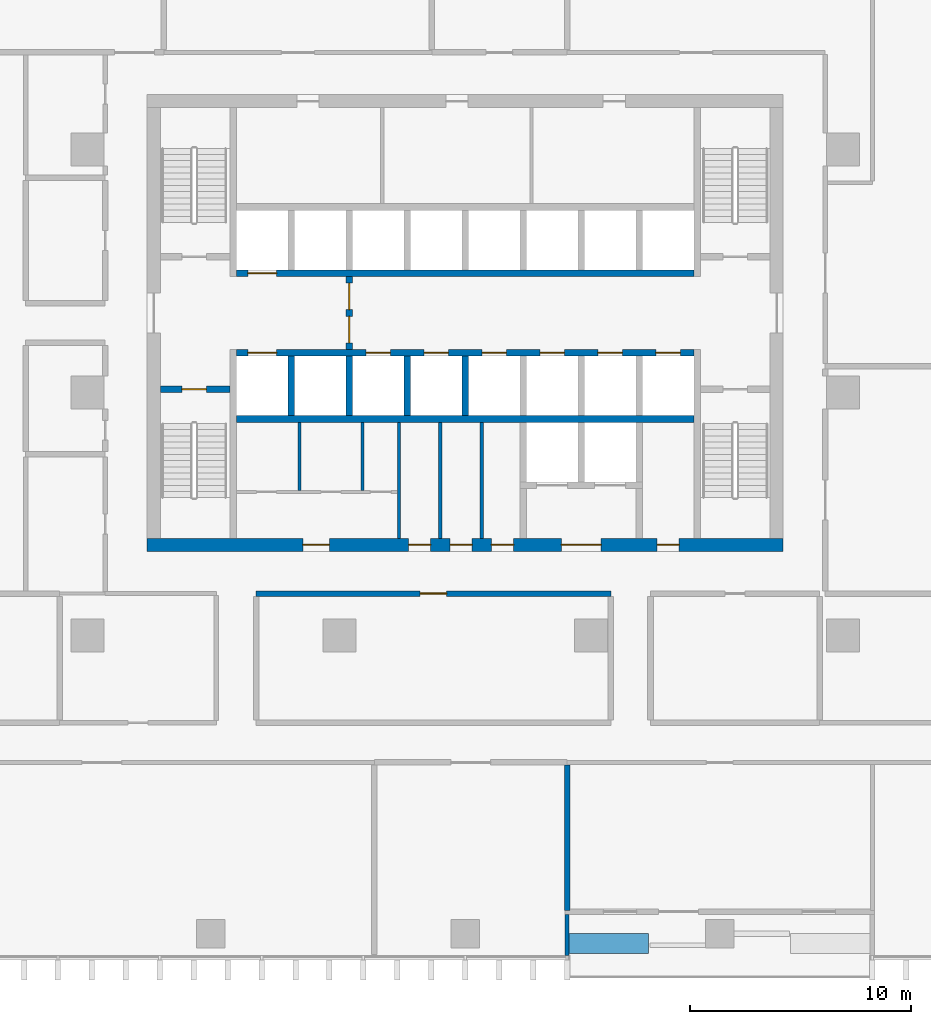
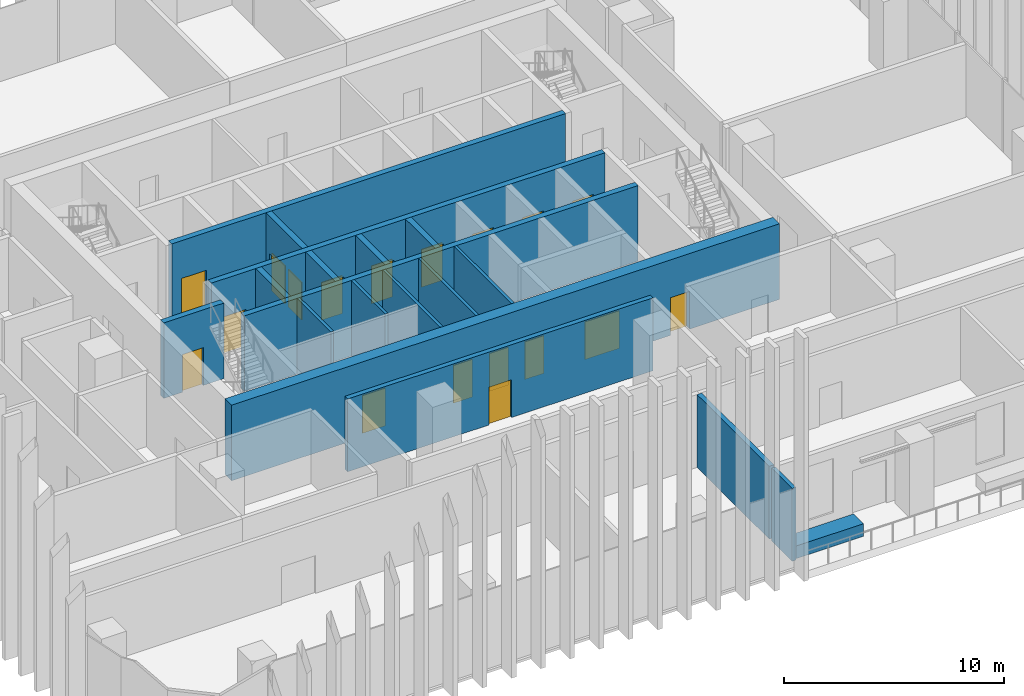
# One storey, part 8 of 17: 19 walls, 18 doors, 18 openings.
"""IFC4 building model written with IfcOpenShell, lengths in metres."""

from ifc_helpers import new_model, si_unit, direction, frame, frame_2d, origin, place, context, subcontext, project, spatial, rectangle, extrude, material, layer, layer_set, type_object, element, fill, save


model = new_model("IFC4")

# Units and contexts
model_context = context("Model", 3, precision=1e-05, world=origin(), true_north=direction((0.0, 1.0)))
body_context = subcontext(model_context, "Body", "Model", "MODEL_VIEW")
ifc_project = project(units=[si_unit("LENGTHUNIT", "METRE"), si_unit("AREAUNIT", "SQUARE_METRE"), si_unit("VOLUMEUNIT", "CUBIC_METRE"), si_unit("PLANEANGLEUNIT", "RADIAN"), si_unit("MASSUNIT", "GRAM", prefix="KILO")], contexts=[model_context])

# Site, building, storey
site_placement = place(None, origin())
site = spatial("IfcSite", under=ifc_project, at=site_placement, CompositionType="ELEMENT")
building_placement = place(site_placement, origin())
building = spatial("IfcBuilding", under=site, at=building_placement, Name="Mopane Tessera Tower", CompositionType="ELEMENT")
storey_placement = place(building_placement, frame((0.0, 0.0, 108.10009765625)))
storey = spatial("IfcBuildingStorey", under=building, at=storey_placement, Name="L21", CompositionType="ELEMENT", Elevation=108.10009765625)

# Walls
ifc_material_1 = material(Name="Fire-rated gypsum board partition")
ifc_layer_1 = layer(ifc_material_1, 0.14990234375)
ifc_layer_set_1 = layer_set([ifc_layer_1], Name="Fire-rated gypsum board partition")
wall_type_1 = type_object("IfcWallType", Name="Core room partition 150 mm", PredefinedType="PARTITIONING", material=ifc_layer_set_1)
for number, where, z_axis, x_axis, name in (
    (1, (-7.5, -4.425048828125, 0.0), (0.0, 0.0, 1.0), (0.0, 1.0, 0.0), "L21 WC partition"),
    (2, (-4.64990234375, -4.425048828125, 0.0), (0.0, 0.0, 1.0), (0.0, 1.0, 0.0), "L21 WC partition"),
):
    element("IfcWall", number, at=place(storey_placement, frame(where, z_axis=z_axis, x_axis=x_axis)), inside=storey, type_object=wall_type_1, Name=name, PredefinedType="PARTITIONING", context=body_context, shape_type="SweptSolid", body=[
        extrude(rectangle(XDim=3.074951171875, YDim=0.14990234375, at=frame_2d((1.53759765625, 0.0))), origin(), (0.0, 0.0, 1.0), 4.199951171875),
    ])
for number, where, z_axis, x_axis, name in (
    (3, (-3.0, -6.60009765625, 0.0), (0.0, 0.0, 1.0), (0.0, 1.0, 0.0), "L21 Room partition"),
    (4, (-1.125, -6.60009765625, 0.0), (0.0, 0.0, 1.0), (0.0, 1.0, 0.0), "L21 Room partition"),
    (5, (0.75, -6.60009765625, 0.0), (0.0, 0.0, 1.0), (0.0, 1.0, 0.0), "L21 Room partition"),
):
    element("IfcWall", number, at=place(storey_placement, frame(where, z_axis=z_axis, x_axis=x_axis)), inside=storey, type_object=wall_type_1, Name=name, PredefinedType="PARTITIONING", context=body_context, shape_type="SweptSolid", body=[
        extrude(rectangle(XDim=5.25, YDim=0.14990234375, at=frame_2d((2.625, 0.0))), origin(), (0.0, 0.0, 1.0), 4.199951171875),
    ])

# Wall, openings, doors
ifc_material_2 = material(Name="Concrete C70/85", Category="concrete")
ifc_layer_2 = layer(ifc_material_2, 0.60009765625)
ifc_layer_set_2 = layer_set([ifc_layer_2], Name="Concrete C70/85")
wall_type_2 = type_object("IfcWallType", Name="Core shear wall 600 mm", PredefinedType="SHEAR", material=ifc_layer_set_2)
wall_1_placement = place(storey_placement, frame((-14.39990234375, -6.89990234375, 0.0), z_axis=(0.0, 0.0, 1.0), x_axis=(1.0, 0.0, 0.0)))
wall_1 = element("IfcWall", 6, at=wall_1_placement, inside=storey, type_object=wall_type_2, Name="L21 Core wall south", PredefinedType="SHEAR", context=body_context, shape_type="SweptSolid", body=[
    extrude(rectangle(XDim=28.7998046875, YDim=0.60009765625, at=frame_2d((14.39990234375, 0.0))), origin(), (0.0, 0.0, 1.0), 4.199951171875),
])
opening_1_placement = place(wall_1_placement, frame((7.050048828125, 0.0, 0.0)))
opening_1 = element("IfcOpeningElement", 7, at=opening_1_placement, cuts=wall_1, Name="Opening WD3", PredefinedType="OPENING", context=body_context, shape_type="SweptSolid", body=[
    extrude(rectangle(XDim=1.199951171875, YDim=2.10009765625, at=frame_2d((0.60009765625, 1.050048828125))), frame((0.0, 0.31201171875, 0.0), z_axis=(0.0, -1.0, 0.0), x_axis=(1.0, 0.0, 0.0)), (0.0, 0.0, 1.0), 0.6240234375),
])
opening_2_placement = place(wall_1_placement, frame((11.83740234375, 0.0, 0.0)))
opening_2 = element("IfcOpeningElement", 8, at=opening_2_placement, cuts=wall_1, Name="Opening RD1", PredefinedType="OPENING", context=body_context, shape_type="SweptSolid", body=[
    extrude(rectangle(XDim=1.0, YDim=2.10009765625, at=frame_2d((0.5, 1.050048828125))), frame((0.0, 0.31201171875, 0.0), z_axis=(0.0, -1.0, 0.0), x_axis=(1.0, 0.0, 0.0)), (0.0, 0.0, 1.0), 0.6240234375),
])
opening_3_placement = place(wall_1_placement, frame((13.71240234375, 0.0, 0.0)))
opening_3 = element("IfcOpeningElement", 9, at=opening_3_placement, cuts=wall_1, Name="Opening RD1", PredefinedType="OPENING", context=body_context, shape_type="SweptSolid", body=[
    extrude(rectangle(XDim=1.0, YDim=2.10009765625, at=frame_2d((0.5, 1.050048828125))), frame((0.0, 0.31201171875, 0.0), z_axis=(0.0, -1.0, 0.0), x_axis=(1.0, 0.0, 0.0)), (0.0, 0.0, 1.0), 0.6240234375),
])
opening_4_placement = place(wall_1_placement, frame((15.58740234375, 0.0, 0.0)))
opening_4 = element("IfcOpeningElement", 10, at=opening_4_placement, cuts=wall_1, Name="Opening RD1", PredefinedType="OPENING", context=body_context, shape_type="SweptSolid", body=[
    extrude(rectangle(XDim=1.0, YDim=2.10009765625, at=frame_2d((0.5, 1.050048828125))), frame((0.0, 0.31201171875, 0.0), z_axis=(0.0, -1.0, 0.0), x_axis=(1.0, 0.0, 0.0)), (0.0, 0.0, 1.0), 0.6240234375),
])
opening_5_placement = place(wall_1_placement, frame((18.75, 0.0, 0.0)))
opening_5 = element("IfcOpeningElement", 11, at=opening_5_placement, cuts=wall_1, Name="Opening SD2", PredefinedType="OPENING", context=body_context, shape_type="SweptSolid", body=[
    extrude(rectangle(XDim=1.800048828125, YDim=2.10009765625, at=frame_2d((0.89990234375, 1.050048828125))), frame((0.0, 0.31201171875, 0.0), z_axis=(0.0, -1.0, 0.0), x_axis=(1.0, 0.0, 0.0)), (0.0, 0.0, 1.0), 0.6240234375),
])
opening_6_placement = place(wall_1_placement, frame((23.08740234375, 0.0, 0.0)))
opening_6 = element("IfcOpeningElement", 12, at=opening_6_placement, cuts=wall_1, Name="Opening RD1", PredefinedType="OPENING", context=body_context, shape_type="SweptSolid", body=[
    extrude(rectangle(XDim=1.0, YDim=2.10009765625, at=frame_2d((0.5, 1.050048828125))), frame((0.0, 0.31201171875, 0.0), z_axis=(0.0, -1.0, 0.0), x_axis=(1.0, 0.0, 0.0)), (0.0, 0.0, 1.0), 0.6240234375),
])
ifc_material_3 = material(Name="Steel fire door", Category="steel")
door_type_1 = type_object("IfcDoorType", Name="Core entrance double door 1800 x 2100", OperationType="DOUBLE_DOOR_SINGLE_SWING", PredefinedType="DOOR", material=ifc_material_3)
door_1_placement = place(opening_5_placement, origin())
door_1 = element("IfcDoor", 13, at=door_1_placement, inside=storey, type_object=door_type_1, Name="L21 Service lobby door", OperationType="DOUBLE_DOOR_SINGLE_SWING", OverallHeight=2.10009765625, OverallWidth=1.800048828125, PredefinedType="DOOR", context=body_context, shape_type="SweptSolid", body=[
    extrude(rectangle(XDim=1.800048828125, YDim=2.10009765625, at=frame_2d((0.89990234375, 1.050048828125))), frame((0.0, 0.02490234375, 0.0), z_axis=(0.0, -1.0, 0.0), x_axis=(1.0, 0.0, 0.0)), (0.0, 0.0, 1.0), 0.050048828125),
])
fill(opening_5, door_1)
ifc_material_4 = material(Name="Timber door", Category="wood")
door_type_2 = type_object("IfcDoorType", Name="Core room door 1000 x 2100", OperationType="SINGLE_SWING_LEFT", PredefinedType="DOOR", material=ifc_material_4)
door_2_placement = place(opening_2_placement, origin())
door_2 = element("IfcDoor", 14, at=door_2_placement, inside=storey, type_object=door_type_2, Name="L21 Room door", OperationType="SINGLE_SWING_LEFT", OverallHeight=2.10009765625, OverallWidth=1.0, PredefinedType="DOOR", context=body_context, shape_type="SweptSolid", body=[
    extrude(rectangle(XDim=1.0, YDim=2.10009765625, at=frame_2d((0.5, 1.050048828125))), frame((0.0, 0.02490234375, 0.0), z_axis=(0.0, -1.0, 0.0), x_axis=(1.0, 0.0, 0.0)), (0.0, 0.0, 1.0), 0.050048828125),
])
fill(opening_2, door_2)
door_3_placement = place(opening_3_placement, origin())
door_3 = element("IfcDoor", 15, at=door_3_placement, inside=storey, type_object=door_type_2, Name="L21 Room door", OperationType="SINGLE_SWING_LEFT", OverallHeight=2.10009765625, OverallWidth=1.0, PredefinedType="DOOR", context=body_context, shape_type="SweptSolid", body=[
    extrude(rectangle(XDim=1.0, YDim=2.10009765625, at=frame_2d((0.5, 1.050048828125))), frame((0.0, 0.02490234375, 0.0), z_axis=(0.0, -1.0, 0.0), x_axis=(1.0, 0.0, 0.0)), (0.0, 0.0, 1.0), 0.050048828125),
])
fill(opening_3, door_3)
door_4_placement = place(opening_4_placement, origin())
door_4 = element("IfcDoor", 16, at=door_4_placement, inside=storey, type_object=door_type_2, Name="L21 Room door", OperationType="SINGLE_SWING_LEFT", OverallHeight=2.10009765625, OverallWidth=1.0, PredefinedType="DOOR", context=body_context, shape_type="SweptSolid", body=[
    extrude(rectangle(XDim=1.0, YDim=2.10009765625, at=frame_2d((0.5, 1.050048828125))), frame((0.0, 0.02490234375, 0.0), z_axis=(0.0, -1.0, 0.0), x_axis=(1.0, 0.0, 0.0)), (0.0, 0.0, 1.0), 0.050048828125),
])
fill(opening_4, door_4)
door_5_placement = place(opening_6_placement, origin())
door_5 = element("IfcDoor", 17, at=door_5_placement, inside=storey, type_object=door_type_2, Name="L21 Room door", OperationType="SINGLE_SWING_LEFT", OverallHeight=2.10009765625, OverallWidth=1.0, PredefinedType="DOOR", context=body_context, shape_type="SweptSolid", body=[
    extrude(rectangle(XDim=1.0, YDim=2.10009765625, at=frame_2d((0.5, 1.050048828125))), frame((0.0, 0.02490234375, 0.0), z_axis=(0.0, -1.0, 0.0), x_axis=(1.0, 0.0, 0.0)), (0.0, 0.0, 1.0), 0.050048828125),
])
fill(opening_6, door_5)
ifc_material_5 = material(Name="Timber door", Category="wood")
door_type_3 = type_object("IfcDoorType", Name="WC lobby door 1200 x 2100", OperationType="SINGLE_SWING_LEFT", PredefinedType="DOOR", material=ifc_material_5)
door_6_placement = place(opening_1_placement, origin())
door_6 = element("IfcDoor", 18, at=door_6_placement, inside=storey, type_object=door_type_3, Name="L21 WC lobby door", OperationType="SINGLE_SWING_LEFT", OverallHeight=2.10009765625, OverallWidth=1.199951171875, PredefinedType="DOOR", context=body_context, shape_type="SweptSolid", body=[
    extrude(rectangle(XDim=1.199951171875, YDim=2.10009765625, at=frame_2d((0.60009765625, 1.050048828125))), frame((0.0, 0.02490234375, 0.0), z_axis=(0.0, -1.0, 0.0), x_axis=(1.0, 0.0, 0.0)), (0.0, 0.0, 1.0), 0.050048828125),
])
fill(opening_1, door_6)

# Wall, opening, door
ifc_material_6 = material(Name="Concrete C50/60", Category="concrete")
ifc_layer_3 = layer(ifc_material_6, 0.300048828125)
ifc_layer_set_3 = layer_set([ifc_layer_3], Name="Concrete C50/60")
wall_type_3 = type_object("IfcWallType", Name="Lift and stair shaft wall 300 mm", PredefinedType="SOLIDWALL", material=ifc_layer_set_3)
wall_2_placement = place(storey_placement, frame((-13.800048828125, 0.14990234375, 0.0), z_axis=(0.0, 0.0, 1.0), x_axis=(1.0, 0.0, 0.0)))
wall_2 = element("IfcWall", 19, at=wall_2_placement, inside=storey, type_object=wall_type_3, Name="L21 Stair enclosure wall", PredefinedType="SOLIDWALL", context=body_context, shape_type="SweptSolid", body=[
    extrude(rectangle(XDim=3.150146484375, YDim=0.300048828125, at=frame_2d((1.5751953125, 0.0))), origin(), (0.0, 0.0, 1.0), 4.199951171875),
])
opening_7_placement = place(wall_2_placement, frame((0.97509765625, 0.0, 0.0)))
opening_7 = element("IfcOpeningElement", 20, at=opening_7_placement, cuts=wall_2, Name="Opening SD1", PredefinedType="OPENING", context=body_context, shape_type="SweptSolid", body=[
    extrude(rectangle(XDim=1.10009765625, YDim=2.10009765625, at=frame_2d((0.550048828125, 1.050048828125))), frame((0.0, 0.162109375, 0.0), z_axis=(0.0, -1.0, 0.0), x_axis=(1.0, 0.0, 0.0)), (0.0, 0.0, 1.0), 0.323974609375),
])
ifc_material_7 = material(Name="Steel fire door", Category="steel")
door_type_4 = type_object("IfcDoorType", Name="Stair fire door 1100 x 2100", OperationType="SINGLE_SWING_LEFT", PredefinedType="DOOR", material=ifc_material_7)
door_7_placement = place(opening_7_placement, origin())
door_7 = element("IfcDoor", 21, at=door_7_placement, inside=storey, type_object=door_type_4, Name="L21 Stair door ST1", OperationType="SINGLE_SWING_LEFT", OverallHeight=2.10009765625, OverallWidth=1.10009765625, PredefinedType="DOOR", context=body_context, shape_type="SweptSolid", body=[
    extrude(rectangle(XDim=1.10009765625, YDim=2.10009765625, at=frame_2d((0.550048828125, 1.050048828125))), frame((0.0, 0.02490234375, 0.0), z_axis=(0.0, -1.0, 0.0), x_axis=(1.0, 0.0, 0.0)), (0.0, 0.0, 1.0), 0.050048828125),
])
fill(opening_7, door_7)

# Wall
wall_3_placement = place(storey_placement, frame((-10.35009765625, -1.199951171875, 0.0), z_axis=(0.0, 0.0, 1.0), x_axis=(1.0, 0.0, 0.0)))
element("IfcWall", 22, at=wall_3_placement, inside=storey, type_object=wall_type_3, Name="L21 Lift shaft rear wall", PredefinedType="SOLIDWALL", context=body_context, shape_type="SweptSolid", body=[
    extrude(rectangle(XDim=20.7001953125, YDim=0.300048828125, at=frame_2d((10.35009765625, 0.0))), origin(), (0.0, 0.0, 1.0), 4.199951171875),
])

# Wall, openings, doors
wall_4_placement = place(storey_placement, frame((-10.35009765625, 1.800048828125, 0.0), z_axis=(0.0, 0.0, 1.0), x_axis=(1.0, 0.0, 0.0)))
wall_4 = element("IfcWall", 23, at=wall_4_placement, inside=storey, type_object=wall_type_3, Name="L21 Lift shaft front wall", PredefinedType="SOLIDWALL", context=body_context, shape_type="SweptSolid", body=[
    extrude(rectangle(XDim=20.7001953125, YDim=0.300048828125, at=frame_2d((10.35009765625, 0.0))), origin(), (0.0, 0.0, 1.0), 4.199951171875),
])
opening_8_placement = place(wall_4_placement, frame((0.512451171875, 0.0, 0.0)))
opening_8 = element("IfcOpeningElement", 24, at=opening_8_placement, cuts=wall_4, Name="Opening LD2", PredefinedType="OPENING", context=body_context, shape_type="SweptSolid", body=[
    extrude(rectangle(XDim=1.300048828125, YDim=2.10009765625, at=frame_2d((0.64990234375, 1.050048828125))), frame((0.0, 0.162109375, 0.0), z_axis=(0.0, -1.0, 0.0), x_axis=(1.0, 0.0, 0.0)), (0.0, 0.0, 1.0), 0.323974609375),
])
opening_9_placement = place(wall_4_placement, frame((5.862548828125, 0.0, 0.0)))
opening_9 = element("IfcOpeningElement", 25, at=opening_9_placement, cuts=wall_4, Name="Opening LD", PredefinedType="OPENING", context=body_context, shape_type="SweptSolid", body=[
    extrude(rectangle(XDim=1.10009765625, YDim=2.10009765625, at=frame_2d((0.550048828125, 1.050048828125))), frame((0.0, 0.162109375, 0.0), z_axis=(0.0, -1.0, 0.0), x_axis=(1.0, 0.0, 0.0)), (0.0, 0.0, 1.0), 0.323974609375),
])
opening_10_placement = place(wall_4_placement, frame((8.487548828125, 0.0, 0.0)))
opening_10 = element("IfcOpeningElement", 26, at=opening_10_placement, cuts=wall_4, Name="Opening LD", PredefinedType="OPENING", context=body_context, shape_type="SweptSolid", body=[
    extrude(rectangle(XDim=1.10009765625, YDim=2.10009765625, at=frame_2d((0.550048828125, 1.050048828125))), frame((0.0, 0.162109375, 0.0), z_axis=(0.0, -1.0, 0.0), x_axis=(1.0, 0.0, 0.0)), (0.0, 0.0, 1.0), 0.323974609375),
])
opening_11_placement = place(wall_4_placement, frame((11.112548828125, 0.0, 0.0)))
opening_11 = element("IfcOpeningElement", 27, at=opening_11_placement, cuts=wall_4, Name="Opening LD", PredefinedType="OPENING", context=body_context, shape_type="SweptSolid", body=[
    extrude(rectangle(XDim=1.10009765625, YDim=2.10009765625, at=frame_2d((0.550048828125, 1.050048828125))), frame((0.0, 0.162109375, 0.0), z_axis=(0.0, -1.0, 0.0), x_axis=(1.0, 0.0, 0.0)), (0.0, 0.0, 1.0), 0.323974609375),
])
opening_12_placement = place(wall_4_placement, frame((13.737548828125, 0.0, 0.0)))
opening_12 = element("IfcOpeningElement", 28, at=opening_12_placement, cuts=wall_4, Name="Opening LD", PredefinedType="OPENING", context=body_context, shape_type="SweptSolid", body=[
    extrude(rectangle(XDim=1.10009765625, YDim=2.10009765625, at=frame_2d((0.550048828125, 1.050048828125))), frame((0.0, 0.162109375, 0.0), z_axis=(0.0, -1.0, 0.0), x_axis=(1.0, 0.0, 0.0)), (0.0, 0.0, 1.0), 0.323974609375),
])
opening_13_placement = place(wall_4_placement, frame((16.362548828125, 0.0, 0.0)))
opening_13 = element("IfcOpeningElement", 29, at=opening_13_placement, cuts=wall_4, Name="Opening LD", PredefinedType="OPENING", context=body_context, shape_type="SweptSolid", body=[
    extrude(rectangle(XDim=1.10009765625, YDim=2.10009765625, at=frame_2d((0.550048828125, 1.050048828125))), frame((0.0, 0.162109375, 0.0), z_axis=(0.0, -1.0, 0.0), x_axis=(1.0, 0.0, 0.0)), (0.0, 0.0, 1.0), 0.323974609375),
])
opening_14_placement = place(wall_4_placement, frame((18.987548828125, 0.0, 0.0)))
opening_14 = element("IfcOpeningElement", 30, at=opening_14_placement, cuts=wall_4, Name="Opening LD", PredefinedType="OPENING", context=body_context, shape_type="SweptSolid", body=[
    extrude(rectangle(XDim=1.10009765625, YDim=2.10009765625, at=frame_2d((0.550048828125, 1.050048828125))), frame((0.0, 0.162109375, 0.0), z_axis=(0.0, -1.0, 0.0), x_axis=(1.0, 0.0, 0.0)), (0.0, 0.0, 1.0), 0.323974609375),
])
ifc_material_8 = material(Name="Stainless steel sliding door", Category="steel")
door_type_5 = type_object("IfcDoorType", Name="Fire-fighting lift landing door 1300 x 2100", OperationType="DOUBLE_DOOR_SLIDING", PredefinedType="DOOR", material=ifc_material_8)
door_8_placement = place(opening_8_placement, origin())
door_8 = element("IfcDoor", 31, at=door_8_placement, inside=storey, type_object=door_type_5, Name="L21 Lift landing door FF1", OperationType="DOUBLE_DOOR_SLIDING", OverallHeight=2.10009765625, OverallWidth=1.300048828125, PredefinedType="DOOR", context=body_context, shape_type="SweptSolid", body=[
    extrude(rectangle(XDim=1.300048828125, YDim=2.10009765625, at=frame_2d((0.64990234375, 1.050048828125))), frame((0.0, 0.02490234375, 0.0), z_axis=(0.0, -1.0, 0.0), x_axis=(1.0, 0.0, 0.0)), (0.0, 0.0, 1.0), 0.050048828125),
])
fill(opening_8, door_8)
ifc_material_9 = material(Name="Stainless steel sliding door", Category="steel")
door_type_6 = type_object("IfcDoorType", Name="Lift landing door 1100 x 2100", OperationType="DOUBLE_DOOR_SLIDING", PredefinedType="DOOR", material=ifc_material_9)
door_9_placement = place(opening_9_placement, origin())
door_9 = element("IfcDoor", 32, at=door_9_placement, inside=storey, type_object=door_type_6, Name="L21 Lift landing door LR1", OperationType="DOUBLE_DOOR_SLIDING", OverallHeight=2.10009765625, OverallWidth=1.10009765625, PredefinedType="DOOR", context=body_context, shape_type="SweptSolid", body=[
    extrude(rectangle(XDim=1.10009765625, YDim=2.10009765625, at=frame_2d((0.550048828125, 1.050048828125))), frame((0.0, 0.02490234375, 0.0), z_axis=(0.0, -1.0, 0.0), x_axis=(1.0, 0.0, 0.0)), (0.0, 0.0, 1.0), 0.050048828125),
])
fill(opening_9, door_9)
door_10_placement = place(opening_10_placement, origin())
door_10 = element("IfcDoor", 33, at=door_10_placement, inside=storey, type_object=door_type_6, Name="L21 Lift landing door LR2", OperationType="DOUBLE_DOOR_SLIDING", OverallHeight=2.10009765625, OverallWidth=1.10009765625, PredefinedType="DOOR", context=body_context, shape_type="SweptSolid", body=[
    extrude(rectangle(XDim=1.10009765625, YDim=2.10009765625, at=frame_2d((0.550048828125, 1.050048828125))), frame((0.0, 0.02490234375, 0.0), z_axis=(0.0, -1.0, 0.0), x_axis=(1.0, 0.0, 0.0)), (0.0, 0.0, 1.0), 0.050048828125),
])
fill(opening_10, door_10)
door_11_placement = place(opening_11_placement, origin())
door_11 = element("IfcDoor", 34, at=door_11_placement, inside=storey, type_object=door_type_6, Name="L21 Lift landing door LR3", OperationType="DOUBLE_DOOR_SLIDING", OverallHeight=2.10009765625, OverallWidth=1.10009765625, PredefinedType="DOOR", context=body_context, shape_type="SweptSolid", body=[
    extrude(rectangle(XDim=1.10009765625, YDim=2.10009765625, at=frame_2d((0.550048828125, 1.050048828125))), frame((0.0, 0.02490234375, 0.0), z_axis=(0.0, -1.0, 0.0), x_axis=(1.0, 0.0, 0.0)), (0.0, 0.0, 1.0), 0.050048828125),
])
fill(opening_11, door_11)
door_12_placement = place(opening_12_placement, origin())
door_12 = element("IfcDoor", 35, at=door_12_placement, inside=storey, type_object=door_type_6, Name="L21 Lift landing door LR4", OperationType="DOUBLE_DOOR_SLIDING", OverallHeight=2.10009765625, OverallWidth=1.10009765625, PredefinedType="DOOR", context=body_context, shape_type="SweptSolid", body=[
    extrude(rectangle(XDim=1.10009765625, YDim=2.10009765625, at=frame_2d((0.550048828125, 1.050048828125))), frame((0.0, 0.02490234375, 0.0), z_axis=(0.0, -1.0, 0.0), x_axis=(1.0, 0.0, 0.0)), (0.0, 0.0, 1.0), 0.050048828125),
])
fill(opening_12, door_12)
door_13_placement = place(opening_13_placement, origin())
door_13 = element("IfcDoor", 36, at=door_13_placement, inside=storey, type_object=door_type_6, Name="L21 Lift landing door LR5", OperationType="DOUBLE_DOOR_SLIDING", OverallHeight=2.10009765625, OverallWidth=1.10009765625, PredefinedType="DOOR", context=body_context, shape_type="SweptSolid", body=[
    extrude(rectangle(XDim=1.10009765625, YDim=2.10009765625, at=frame_2d((0.550048828125, 1.050048828125))), frame((0.0, 0.02490234375, 0.0), z_axis=(0.0, -1.0, 0.0), x_axis=(1.0, 0.0, 0.0)), (0.0, 0.0, 1.0), 0.050048828125),
])
fill(opening_13, door_13)
door_14_placement = place(opening_14_placement, origin())
door_14 = element("IfcDoor", 37, at=door_14_placement, inside=storey, type_object=door_type_6, Name="L21 Lift landing door LR6", OperationType="DOUBLE_DOOR_SLIDING", OverallHeight=2.10009765625, OverallWidth=1.10009765625, PredefinedType="DOOR", context=body_context, shape_type="SweptSolid", body=[
    extrude(rectangle(XDim=1.10009765625, YDim=2.10009765625, at=frame_2d((0.550048828125, 1.050048828125))), frame((0.0, 0.02490234375, 0.0), z_axis=(0.0, -1.0, 0.0), x_axis=(1.0, 0.0, 0.0)), (0.0, 0.0, 1.0), 0.050048828125),
])
fill(opening_14, door_14)

# Wall, opening, door
wall_5_placement = place(storey_placement, frame((-10.35009765625, 5.39990234375, 0.0), z_axis=(0.0, 0.0, 1.0), x_axis=(1.0, 0.0, 0.0)))
wall_5 = element("IfcWall", 38, at=wall_5_placement, inside=storey, type_object=wall_type_3, Name="L21 Lift shaft front wall", PredefinedType="SOLIDWALL", context=body_context, shape_type="SweptSolid", body=[
    extrude(rectangle(XDim=20.7001953125, YDim=0.300048828125, at=frame_2d((10.35009765625, 0.0))), origin(), (0.0, 0.0, 1.0), 4.199951171875),
])
opening_15_placement = place(wall_5_placement, frame((0.512451171875, 0.0, 0.0)))
opening_15 = element("IfcOpeningElement", 39, at=opening_15_placement, cuts=wall_5, Name="Opening LD2", PredefinedType="OPENING", context=body_context, shape_type="SweptSolid", body=[
    extrude(rectangle(XDim=1.300048828125, YDim=2.10009765625, at=frame_2d((0.64990234375, 1.050048828125))), frame((0.0, 0.162109375, 0.0), z_axis=(0.0, -1.0, 0.0), x_axis=(1.0, 0.0, 0.0)), (0.0, 0.0, 1.0), 0.323974609375),
])
door_15_placement = place(opening_15_placement, origin())
door_15 = element("IfcDoor", 40, at=door_15_placement, inside=storey, type_object=door_type_5, Name="L21 Lift landing door FF2", OperationType="DOUBLE_DOOR_SLIDING", OverallHeight=2.10009765625, OverallWidth=1.300048828125, PredefinedType="DOOR", context=body_context, shape_type="SweptSolid", body=[
    extrude(rectangle(XDim=1.300048828125, YDim=2.10009765625, at=frame_2d((0.64990234375, 1.050048828125))), frame((0.0, 0.02490234375, 0.0), z_axis=(0.0, -1.0, 0.0), x_axis=(1.0, 0.0, 0.0)), (0.0, 0.0, 1.0), 0.050048828125),
])
fill(opening_15, door_15)

# Walls
for number, where, z_axis, x_axis, name in (
    (41, (-7.875, -1.050048828125, 0.0), (0.0, 0.0, 1.0), (0.0, 1.0, 0.0), "L21 Lift shaft wall"),
    (42, (-5.25, -1.050048828125, 0.0), (0.0, 0.0, 1.0), (0.0, 1.0, 0.0), "L21 Lift shaft wall"),
    (43, (-2.625, -1.050048828125, 0.0), (0.0, 0.0, 1.0), (0.0, 1.0, 0.0), "L21 Lift shaft wall"),
    (44, (0.0, -1.050048828125, 0.0), (0.0, 0.0, 1.0), (0.0, 1.0, 0.0), "L21 Lift shaft wall"),
):
    element("IfcWall", number, at=place(storey_placement, frame(where, z_axis=z_axis, x_axis=x_axis)), inside=storey, type_object=wall_type_3, Name=name, PredefinedType="SOLIDWALL", context=body_context, shape_type="SweptSolid", body=[
        extrude(rectangle(XDim=2.699951171875, YDim=0.300048828125, at=frame_2d((1.35009765625, 0.0))), origin(), (0.0, 0.0, 1.0), 4.199951171875),
    ])

# Wall, openings, doors
ifc_material_10 = material(Name="Concrete C50/60", Category="concrete")
ifc_layer_4 = layer(ifc_material_10, 0.300048828125)
ifc_layer_set_4 = layer_set([ifc_layer_4], Name="Concrete C50/60")
wall_type_4 = type_object("IfcWallType", Name="Lobby and refuge room wall 300 mm", PredefinedType="SOLIDWALL", material=ifc_layer_set_4)
wall_6_placement = place(storey_placement, frame((-5.25, 1.949951171875, 0.0), z_axis=(0.0, 0.0, 1.0), x_axis=(0.0, 1.0, 0.0)))
wall_6 = element("IfcWall", 45, at=wall_6_placement, inside=storey, type_object=wall_type_4, Name="L21 Fire-fighting lobby wall", PredefinedType="SOLIDWALL", context=body_context, shape_type="SweptSolid", body=[
    extrude(rectangle(XDim=3.300048828125, YDim=0.300048828125, at=frame_2d((1.64990234375, 0.0))), origin(), (0.0, 0.0, 1.0), 4.199951171875),
])
opening_16_placement = place(wall_6_placement, frame((0.300048828125, 0.0, 0.0)))
opening_16 = element("IfcOpeningElement", 46, at=opening_16_placement, cuts=wall_6, Name="Opening SD3", PredefinedType="OPENING", context=body_context, shape_type="SweptSolid", body=[
    extrude(rectangle(XDim=1.199951171875, YDim=2.10009765625, at=frame_2d((0.60009765625, 1.050048828125))), frame((0.0, 0.162109375, 0.0), z_axis=(0.0, -1.0, 0.0), x_axis=(1.0, 0.0, 0.0)), (0.0, 0.0, 1.0), 0.323974609375),
])
opening_17_placement = place(wall_6_placement, frame((1.800048828125, 0.0, 0.0)))
opening_17 = element("IfcOpeningElement", 47, at=opening_17_placement, cuts=wall_6, Name="Opening SD3", PredefinedType="OPENING", context=body_context, shape_type="SweptSolid", body=[
    extrude(rectangle(XDim=1.199951171875, YDim=2.10009765625, at=frame_2d((0.60009765625, 1.050048828125))), frame((0.0, 0.162109375, 0.0), z_axis=(0.0, -1.0, 0.0), x_axis=(1.0, 0.0, 0.0)), (0.0, 0.0, 1.0), 0.323974609375),
])
ifc_material_11 = material(Name="Steel fire door", Category="steel")
door_type_7 = type_object("IfcDoorType", Name="Lobby fire door 1200 x 2100", OperationType="SINGLE_SWING_LEFT", PredefinedType="DOOR", material=ifc_material_11)
door_16_placement = place(opening_16_placement, origin())
door_16 = element("IfcDoor", 48, at=door_16_placement, inside=storey, type_object=door_type_7, Name="L21 Fire-fighting lobby door", OperationType="SINGLE_SWING_LEFT", OverallHeight=2.10009765625, OverallWidth=1.199951171875, PredefinedType="DOOR", context=body_context, shape_type="SweptSolid", body=[
    extrude(rectangle(XDim=1.199951171875, YDim=2.10009765625, at=frame_2d((0.60009765625, 1.050048828125))), frame((0.0, 0.02490234375, 0.0), z_axis=(0.0, -1.0, 0.0), x_axis=(1.0, 0.0, 0.0)), (0.0, 0.0, 1.0), 0.050048828125),
])
fill(opening_16, door_16)
door_17_placement = place(opening_17_placement, origin())
door_17 = element("IfcDoor", 49, at=door_17_placement, inside=storey, type_object=door_type_7, Name="L21 Fire-fighting lobby door", OperationType="SINGLE_SWING_RIGHT", OverallHeight=2.10009765625, OverallWidth=1.199951171875, PredefinedType="DOOR", context=body_context, shape_type="SweptSolid", body=[
    extrude(rectangle(XDim=1.199951171875, YDim=2.10009765625, at=frame_2d((0.60009765625, 1.050048828125))), frame((0.0, 0.02490234375, 0.0), z_axis=(0.0, -1.0, 0.0), x_axis=(1.0, 0.0, 0.0)), (0.0, 0.0, 1.0), 0.050048828125),
])
fill(opening_17, door_17)

# Wall
ifc_material_12 = material(Name="Reinforced concrete C32/40 with waterproofing", Category="concrete")
ifc_layer_5 = layer(ifc_material_12, 0.89990234375)
ifc_layer_set_5 = layer_set([ifc_layer_5], Name="Reinforced concrete C32/40 with waterproofing")
wall_type_5 = type_object("IfcWallType", Name="Planter trough 3600 x 900", PredefinedType="STANDARD", material=ifc_layer_set_5)
wall_7_placement = place(storey_placement, frame((4.7099609375, -24.949951171875, 0.0), z_axis=(0.0, 0.0, 1.0), x_axis=(1.0, 0.0, 0.0)))
element("IfcWall", 50, at=wall_7_placement, inside=storey, type_object=wall_type_5, Name="e:nw:L21:N3:pl0", PredefinedType="STANDARD", context=body_context, shape_type="SweptSolid", body=[
    extrude(rectangle(XDim=3.60009765625, YDim=0.89990234375, at=frame_2d((1.800048828125, 0.0))), origin(), (0.0, 0.0, 1.0), 0.699951171875),
])

# Wall, opening, door
ifc_material_13 = material(Name="Plastered concrete blockwork C20/25", Category="masonry")
ifc_layer_6 = layer(ifc_material_13, 0.25)
ifc_layer_set_6 = layer_set([ifc_layer_6], Name="Plastered concrete blockwork C20/25")
wall_type_6 = type_object("IfcWallType", Name="Plastered blockwork wall 250, rated EI 120", PredefinedType="PARTITIONING", material=ifc_layer_set_6)
wall_8_placement = place(storey_placement, frame((-9.469970703125, -9.10009765625, 0.0), z_axis=(0.0, 0.0, 1.0), x_axis=(1.0, 0.0, 0.0)))
wall_8 = element("IfcWall", 51, at=wall_8_placement, inside=storey, type_object=wall_type_6, Name="Partition L21:011", PredefinedType="PARTITIONING", context=body_context, shape_type="SweptSolid", body=[
    extrude(rectangle(XDim=16.06005859375, YDim=0.25, at=frame_2d((8.030029296875, 0.0))), origin(), (0.0, 0.0, 1.0), 4.0498046875),
])
opening_18_placement = place(wall_8_placement, frame((7.429931640625, 0.0, 0.0)))
opening_18 = element("IfcOpeningElement", 52, at=opening_18_placement, cuts=wall_8, Name="Opening L21-01", PredefinedType="OPENING", context=body_context, shape_type="SweptSolid", body=[
    extrude(rectangle(XDim=1.199951171875, YDim=2.10009765625, at=frame_2d((0.60009765625, 1.050048828125))), frame((0.0, 0.136962890625, 0.0), z_axis=(0.0, -1.0, 0.0), x_axis=(1.0, 0.0, 0.0)), (0.0, 0.0, 1.0), 0.27392578125),
])
ifc_material_14 = material(Name="Timber veneered steel-framed fire door", Category="steel")
door_type_8 = type_object("IfcDoorType", Name="Fire door FD120 1200 x 2100", OperationType="SINGLE_SWING_LEFT", PredefinedType="DOOR", material=ifc_material_14)
door_18_placement = place(opening_18_placement, origin())
door_18 = element("IfcDoor", 53, at=door_18_placement, inside=storey, type_object=door_type_8, Name="Door L21-01", ObjectType="D15B", OperationType="SINGLE_SWING_RIGHT", OverallHeight=2.10009765625, OverallWidth=1.199951171875, PredefinedType="DOOR", context=body_context, shape_type="SweptSolid", body=[
    extrude(rectangle(XDim=1.199951171875, YDim=2.10009765625, at=frame_2d((0.60009765625, 1.050048828125))), frame((0.0, 0.02490234375, 0.0), z_axis=(0.0, -1.0, 0.0), x_axis=(1.0, 0.0, 0.0)), (0.0, 0.0, 1.0), 0.050048828125),
])
fill(opening_18, door_18)

# Walls
wall_9_placement = place(storey_placement, frame((4.610107421875, -23.449951171875, 0.0), z_axis=(0.0, 0.0, 1.0), x_axis=(0.0, 1.0, 0.0)))
element("IfcWall", 54, at=wall_9_placement, inside=storey, type_object=wall_type_6, Name="Partition L21:044", PredefinedType="PARTITIONING", context=body_context, shape_type="SweptSolid", body=[
    extrude(rectangle(XDim=6.574951171875, YDim=0.25, at=frame_2d((3.28759765625, 0.0))), origin(), (0.0, 0.0, 1.0), 4.0498046875),
])
ifc_material_15 = material(Name="Blockwork with glazed tile facing", Category="masonry")
ifc_layer_7 = layer(ifc_material_15, 0.199951171875)
ifc_layer_set_7 = layer_set([ifc_layer_7], Name="Blockwork with glazed tile facing")
wall_type_7 = type_object("IfcWallType", Name="Terrace cheek wall 200", PredefinedType="STANDARD", material=ifc_layer_set_7)
wall_10_placement = place(storey_placement, frame((4.610107421875, -25.5, 0.0), z_axis=(0.0, 0.0, 1.0), x_axis=(0.0, 1.0, 0.0)))
element("IfcWall", 55, at=wall_10_placement, inside=storey, type_object=wall_type_7, Name="e:nw:L21:N3:cheeka", PredefinedType="STANDARD", context=body_context, shape_type="SweptSolid", body=[
    extrude(rectangle(XDim=1.875, YDim=0.199951171875, at=frame_2d((0.9375, 0.0))), origin(), (0.0, 0.0, 1.0), 4.0498046875),
])

save(model, "model.ifc")
